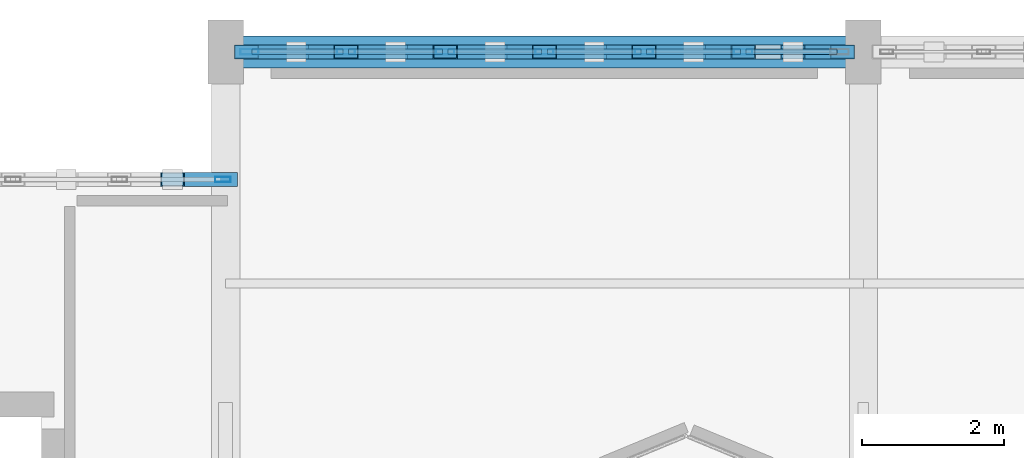
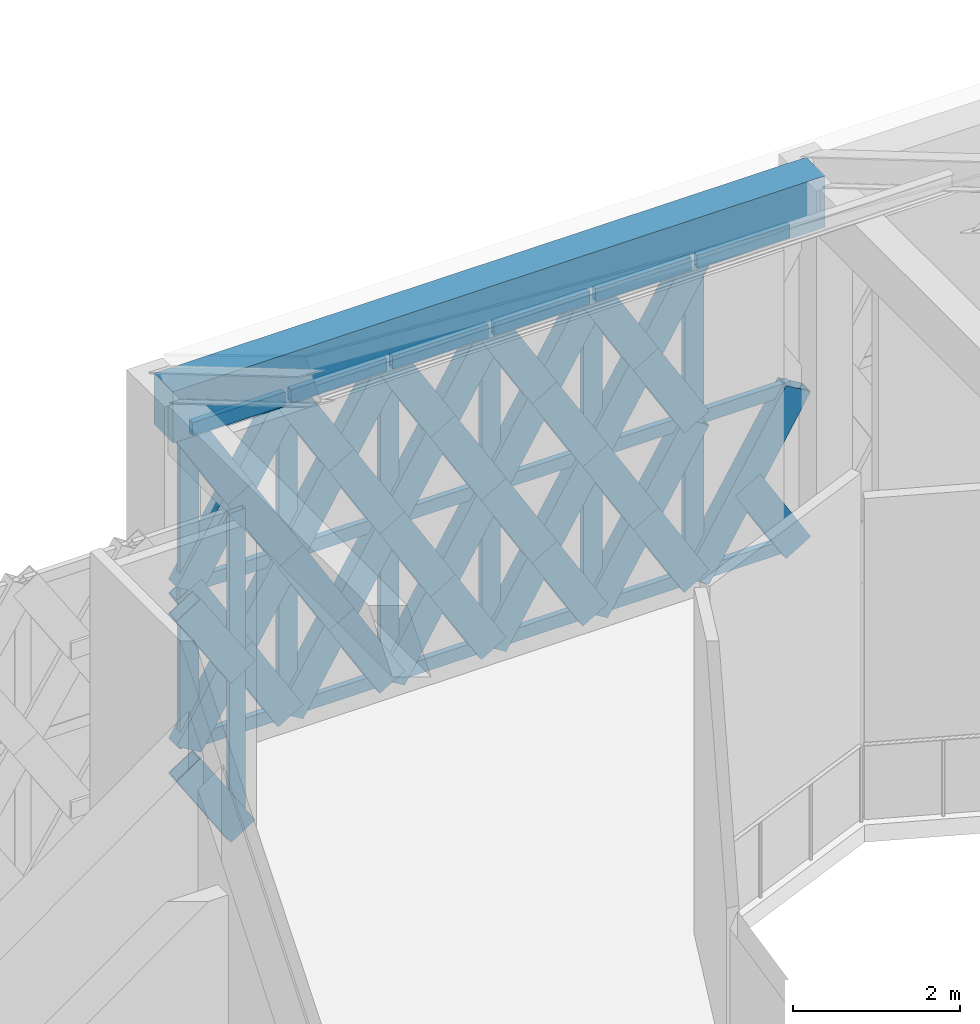
# One storey, part 50 of 72: 59 members, 1 beam, 2 elements without a shape of their own.
"""IFC4 building model written with IfcOpenShell, lengths in metres."""

import ifcopenshell
import ifcopenshell.guid

model = None  # the IFC model being written
_history = None  # IfcOwnerHistory: only IFC2X3 demands one
_inside = {}  # id of a spatial element -> (the spatial element, [elements in it])
_under = {}  # id of a project, library or spatial element -> (it, [spatial elements below it])
_declared = {}  # id of a project -> (the project, [libraries it declares])
_typed = {}  # id of a type object -> (the type object, [elements of that type])
_made_of = {}  # id of a material, layer set ... -> (it, [elements and type objects made of it])


def new_model(schema):
    """Start an empty IFC model of exactly this schema.

    Asked for "IFC4X3", IfcOpenShell would pick the latest addendum, in which some entities
    have other attributes; the version numbers below select the first issue.
    IFC2X3 requires an IfcOwnerHistory on every rooted entity: one is made here for all.
    """
    global model, _history
    if schema == "IFC4X3":
        model = ifcopenshell.file(schema_version=(4, 3, 0, 0))
    else:
        model = ifcopenshell.file(schema=schema)
    _inside.clear()
    _under.clear()
    _declared.clear()
    _typed.clear()
    _made_of.clear()
    _history = None
    if model.schema == "IFC2X3":
        org = make("IfcOrganization", Name="unknown")
        user = make(
            "IfcPersonAndOrganization",
            ThePerson=make("IfcPerson", FamilyName="unknown"),
            TheOrganization=org,
        )
        app = make(
            "IfcApplication",
            ApplicationDeveloper=org,
            Version="unknown",
            ApplicationFullName="unknown",
            ApplicationIdentifier="unknown",
        )
        _history = make(
            "IfcOwnerHistory",
            OwningUser=user,
            OwningApplication=app,
            ChangeAction="ADDED",
            CreationDate=0,
        )
    return model


def make(cls, **values):
    """One entity of the class cls with the attributes given. An attribute that is None is left unset."""
    return model.create_entity(
        cls, **{name: value for name, value in values.items() if value is not None}
    )


def rooted(cls, **values):
    """An entity with a GlobalId (a new one), such as an element, a storey or a relation."""
    return make(cls, GlobalId=ifcopenshell.guid.new(), OwnerHistory=_history, **values)


def si_unit(unit_type, name, prefix=None):
    """IfcSIUnit, for example si_unit("LENGTHUNIT", "METRE", prefix="MILLI")."""
    return make("IfcSIUnit", UnitType=unit_type, Prefix=prefix, Name=name)


def assignment(units):
    """IfcUnitAssignment: the units of a project."""
    return None if units is None else make("IfcUnitAssignment", Units=units)


def point(xyz):
    """IfcCartesianPoint."""
    return None if xyz is None else make("IfcCartesianPoint", Coordinates=xyz)


def direction(xyz):
    """IfcDirection."""
    return None if xyz is None else make("IfcDirection", DirectionRatios=xyz)


def frame(location, z_axis=None, x_axis=None):
    """IfcAxis2Placement3D, a coordinate frame: its origin and axes. An axis left out is left unset."""
    return make(
        "IfcAxis2Placement3D",
        Location=point(location),
        Axis=direction(z_axis),
        RefDirection=direction(x_axis),
    )


def frame_2d(location, x_axis=None):
    """IfcAxis2Placement2D, a coordinate frame in the plane: its origin and x axis."""
    return make(
        "IfcAxis2Placement2D", Location=point(location), RefDirection=direction(x_axis)
    )


def origin():
    """The frame at (0, 0, 0) with its axes left unset."""
    return frame((0.0, 0.0, 0.0))


def origin_2d():
    """The frame at (0, 0) in the plane with its x axis left unset."""
    return frame_2d((0.0, 0.0))


def place(relative_to, where):
    """IfcLocalPlacement: puts the frame where relative to a parent placement (None: the world)."""
    return make(
        "IfcLocalPlacement", PlacementRelTo=relative_to, RelativePlacement=where
    )


def context(
    kind, dimensions, precision=None, world=None, true_north=None, identifier=None
):
    """IfcGeometricRepresentationContext, for example the 3D "Model" context."""
    return make(
        "IfcGeometricRepresentationContext",
        ContextIdentifier=identifier,
        ContextType=kind,
        CoordinateSpaceDimension=dimensions,
        Precision=precision,
        WorldCoordinateSystem=world,
        TrueNorth=true_north,
    )


def subcontext(parent, identifier, kind, view, scale=None):
    """IfcGeometricRepresentationSubContext, for example "Body" below "Model"."""
    return make(
        "IfcGeometricRepresentationSubContext",
        ContextIdentifier=identifier,
        ContextType=kind,
        ParentContext=parent,
        TargetScale=scale,
        TargetView=view,
    )


def project(units=None, contexts=None):
    """IfcProject with its units and contexts."""
    return rooted(
        "IfcProject",
        Name="project",
        RepresentationContexts=contexts,
        UnitsInContext=assignment(units),
    )


def spatial(cls, under=None, at=None, **own):
    """A site, building, storey or space (cls), placed at a placement, below another one or the project."""
    s = rooted(cls, ObjectPlacement=at, **own)
    if under is not None:
        _under.setdefault(under.id(), (under, []))[1].append(s)
    return s


def profile(cls, at=None, kind="AREA", **sizes):
    """A parametric profile (cls). Its sizes go by their IFC names, for example OverallWidth=200.0."""
    return make(cls, ProfileType=kind, Position=at, **sizes)


def rectangle(**sizes):
    """IfcRectangleProfileDef."""
    return profile("IfcRectangleProfileDef", **sizes)


def hollow_rectangle(**sizes):
    """IfcRectangleHollowProfileDef."""
    return profile("IfcRectangleHollowProfileDef", **sizes)


def extrude(swept, where, along, depth):
    """IfcExtrudedAreaSolid: the profile swept, set in the frame where, extruded along a direction by depth."""
    return make(
        "IfcExtrudedAreaSolid",
        SweptArea=swept,
        Position=where,
        ExtrudedDirection=direction(along),
        Depth=depth,
    )


def shape(context_of_items, identifier, shape_type, items):
    """IfcShapeRepresentation: the items that make up one representation, for example the "Body"."""
    return make(
        "IfcShapeRepresentation",
        ContextOfItems=context_of_items,
        RepresentationIdentifier=identifier,
        RepresentationType=shape_type,
        Items=items,
    )


def material(Name=None, Category=None):
    """IfcMaterial."""
    return make("IfcMaterial", Name=Name, Category=Category)


def material_profile(
    of_material, cross_section, Name=None, Category=None, Priority=None
):
    """IfcMaterialProfile: a cross section and its material."""
    return make(
        "IfcMaterialProfile",
        Name=Name,
        Material=of_material,
        Profile=cross_section,
        Priority=Priority,
        Category=Category,
    )


def profile_set(profiles, Name=None, composite=None):
    """IfcMaterialProfileSet."""
    return make(
        "IfcMaterialProfileSet",
        Name=Name,
        MaterialProfiles=profiles,
        CompositeProfile=composite,
    )


def made_of(thing, what):
    """Note that an element or type object is made of a material, layer set ...; save() writes the relation."""
    if what is not None:
        _made_of.setdefault(what.id(), (what, []))[1].append(thing)
    return thing


def type_object(cls, material=None, **own):
    """A type object (cls), such as IfcWallType, which elements share."""
    return made_of(rooted(cls, **own), material)


def element(
    cls,
    number,
    at=None,
    inside=None,
    cuts=None,
    type_object=None,
    material=None,
    context=None,
    identifier="Body",
    shape_type=None,
    held_by="IfcProductDefinitionShape",
    body=None,
    shapes=None,
    **own,
):
    """One element of the class cls, such as IfcWall. Its Tag is "e" and its number.

    at: its placement. inside: the storey or other place that contains it. cuts: it is an
    opening in that element (IfcRelVoidsElement). A single representation is given by context,
    identifier, shape_type and body (its items); several are given by shapes. held_by: the class
    of the entity that holds the representations. save() writes the other relations.
    """
    e = rooted(cls, Tag="e%d" % number, ObjectPlacement=at, **own)
    if body is not None:
        shapes = [shape(context, identifier, shape_type, body)]
    if shapes is not None:
        e.Representation = make(held_by, Representations=shapes)
    if inside is not None:
        _inside.setdefault(inside.id(), (inside, []))[1].append(e)
    if cuts is not None:
        rooted(
            "IfcRelVoidsElement", RelatingBuildingElement=cuts, RelatedOpeningElement=e
        )
    if type_object is not None:
        _typed.setdefault(type_object.id(), (type_object, []))[1].append(e)
    return made_of(e, material)


def aggregate(whole, parts):
    """IfcRelAggregates: a whole, such as a stair, and the parts it consists of."""
    return rooted("IfcRelAggregates", RelatingObject=whole, RelatedObjects=parts)


def save(model, path):
    """Write the relations noted so far, then the file.

    IfcRelAggregates (storeys below a building ...), IfcRelContainedInSpatialStructure (elements
    in a storey), IfcRelDefinesByType, IfcRelAssociatesMaterial and IfcRelDeclares: one each for
    every whole, place, type object, material and project.
    """
    for whole, parts in _under.values():
        aggregate(whole, parts)
    for where, things in _inside.values():
        rooted(
            "IfcRelContainedInSpatialStructure",
            RelatedElements=things,
            RelatingStructure=where,
        )
    for kind, things in _typed.values():
        rooted("IfcRelDefinesByType", RelatedObjects=things, RelatingType=kind)
    for what, things in _made_of.values():
        rooted("IfcRelAssociatesMaterial", RelatedObjects=things, RelatingMaterial=what)
    for by, libraries in _declared.values():
        rooted("IfcRelDeclares", RelatingContext=by, RelatedDefinitions=libraries)
    model.write(path)


model = new_model("IFC4")

# Units and contexts
model_context = context("Model", 3, precision=1e-05, world=origin(), true_north=direction((0.0, 1.0)))
body_context = subcontext(model_context, "Body", "Model", "MODEL_VIEW")
ifc_project = project(units=[si_unit("LENGTHUNIT", "METRE"), si_unit("AREAUNIT", "SQUARE_METRE"), si_unit("VOLUMEUNIT", "CUBIC_METRE"), si_unit("PLANEANGLEUNIT", "RADIAN"), si_unit("MASSUNIT", "GRAM", prefix="KILO")], contexts=[model_context])

# Site, building, storey
site_placement = place(None, origin())
site = spatial("IfcSite", under=ifc_project, at=site_placement, CompositionType="ELEMENT")
building_placement = place(site_placement, origin())
building = spatial("IfcBuilding", under=site, at=building_placement, Name="Haizhuo Lancet Aquarium", CompositionType="ELEMENT")
storey_placement = place(building_placement, frame((0.0, 0.0, 21.60009765625)))
storey = spatial("IfcBuildingStorey", under=building, at=storey_placement, Name="L04", CompositionType="ELEMENT", Elevation=21.60009765625)

# Beam
ifc_material_1 = material(Name="Concrete C40/50", Category="concrete")
ifc_material_profile_1 = material_profile(ifc_material_1, rectangle(XDim=0.449951171875, YDim=0.75, at=origin_2d()), Name="RC-BM 450x750")
ifc_profile_set_1 = profile_set([ifc_material_profile_1], Name="Concrete C40/50")
beam_type = type_object("IfcBeamType", Name="BM-RC-450x750", PredefinedType="BEAM", material=ifc_profile_set_1)
beam_placement = place(storey_placement, frame((-18.0, 55.800048828125, 5.02490234375), z_axis=(1.0, 0.0, 0.0), x_axis=(0.0, 1.0, 0.0)))
element("IfcBeam", 1, at=beam_placement, inside=storey, type_object=beam_type, Name="L04 V5 primary girder BM-L04-V5-007", PredefinedType="BEAM", context=body_context, shape_type="SweptSolid", body=[
    extrude(rectangle(XDim=0.449951171875, YDim=0.75, at=origin_2d()), origin(), (0.0, 0.0, 1.0), 9.0),
])

# Curtain wall, member
ifc_material_2 = material(Name="Aluminium 6063-T6", Category="aluminium")
curtain_wall_type_1 = type_object("IfcCurtainWallType", Name="CWD-9000x4650", PredefinedType="NOTDEFINED", material=ifc_material_2)
curtain_wall_1_placement = place(storey_placement, origin())
curtain_wall_1 = element("IfcCurtainWall", 2, at=curtain_wall_1_placement, inside=storey, type_object=curtain_wall_type_1, Name="L04 curtain wall CW-V5-L04-176", PredefinedType="NOTDEFINED")
ifc_material_profile_2 = material_profile(ifc_material_2, hollow_rectangle(XDim=0.074951171875, YDim=0.219970703125, WallThickness=0.0048828125, at=origin_2d()), Name="ALU-M 75x220x5")
ifc_profile_set_2 = profile_set([ifc_material_profile_2], Name="Aluminium 6063-T6")
member_type_1 = type_object("IfcMemberType", Name="CW-MUL-2", PredefinedType="MULLION", material=ifc_profile_set_2)
member_1_placement = place(storey_placement, frame((-18.0380859375, 54.0, 0.0), z_axis=(0.0, 0.0, 1.0), x_axis=(0.0, 1.0, 0.0)))
member_1 = element("IfcMember", 3, at=member_1_placement, type_object=member_type_1, Name="CWD-90x46 mullion 7", PredefinedType="MULLION", context=body_context, shape_type="SweptSolid", body=[
    extrude(hollow_rectangle(XDim=0.074951171875, YDim=0.219970703125, WallThickness=0.0048828125, at=origin_2d()), origin(), (0.0, 0.0, 1.0), 4.64990234375),
])
aggregate(curtain_wall_1, [member_1])

# Curtain wall, members
curtain_wall_type_2 = type_object("IfcCurtainWallType", Name="CWD-8410x4650", PredefinedType="NOTDEFINED", material=ifc_material_2)
curtain_wall_2_placement = place(storey_placement, origin())
curtain_wall_2 = element("IfcCurtainWall", 4, at=curtain_wall_2_placement, inside=storey, type_object=curtain_wall_type_2, Name="L04 curtain wall CW-V5-L04-177", PredefinedType="NOTDEFINED")
ifc_material_profile_3 = material_profile(ifc_material_2, hollow_rectangle(XDim=0.080078125, YDim=0.260009765625, WallThickness=0.0048828125, at=origin_2d()), Name="ALU-M 80x260x5")
ifc_profile_set_3 = profile_set([ifc_material_profile_3], Name="Aluminium 6063-T6")
member_type_2 = type_object("IfcMemberType", Name="CW-MUL-3", PredefinedType="MULLION", material=ifc_profile_set_3)
member_2_placement = place(storey_placement, frame((-17.6650390625, 55.800048828125, 0.0), z_axis=(0.0, 0.0, 1.0), x_axis=(0.0, 1.0, 0.0)))
member_2 = element("IfcMember", 5, at=member_2_placement, type_object=member_type_2, Name="CWD-84x46 mullion 1", PredefinedType="MULLION", context=body_context, shape_type="SweptSolid", body=[
    extrude(hollow_rectangle(XDim=0.080078125, YDim=0.260009765625, WallThickness=0.0048828125, at=origin_2d()), origin(), (0.0, 0.0, 1.0), 4.64990234375),
])
member_3_placement = place(storey_placement, frame((-16.302978515625, 55.800048828125, 0.0), z_axis=(0.0, 0.0, 1.0), x_axis=(0.0, 1.0, 0.0)))
member_3 = element("IfcMember", 6, at=member_3_placement, type_object=member_type_2, Name="CWD-84x46 mullion 2", PredefinedType="MULLION", context=body_context, shape_type="SweptSolid", body=[
    extrude(hollow_rectangle(XDim=0.080078125, YDim=0.260009765625, WallThickness=0.0048828125, at=origin_2d()), origin(), (0.0, 0.0, 1.0), 4.64990234375),
])
member_4_placement = place(storey_placement, frame((-14.902099609375, 55.800048828125, 0.0), z_axis=(0.0, 0.0, 1.0), x_axis=(0.0, 1.0, 0.0)))
member_4 = element("IfcMember", 7, at=member_4_placement, type_object=member_type_2, Name="CWD-84x46 mullion 3", PredefinedType="MULLION", context=body_context, shape_type="SweptSolid", body=[
    extrude(hollow_rectangle(XDim=0.080078125, YDim=0.260009765625, WallThickness=0.0048828125, at=origin_2d()), origin(), (0.0, 0.0, 1.0), 4.64990234375),
])
member_5_placement = place(storey_placement, frame((-13.5, 55.800048828125, 0.0), z_axis=(0.0, 0.0, 1.0), x_axis=(0.0, 1.0, 0.0)))
member_5 = element("IfcMember", 8, at=member_5_placement, type_object=member_type_2, Name="CWD-84x46 mullion 4", PredefinedType="MULLION", context=body_context, shape_type="SweptSolid", body=[
    extrude(hollow_rectangle(XDim=0.080078125, YDim=0.260009765625, WallThickness=0.0048828125, at=origin_2d()), origin(), (0.0, 0.0, 1.0), 4.64990234375),
])
member_6_placement = place(storey_placement, frame((-12.097900390625, 55.800048828125, 0.0), z_axis=(0.0, 0.0, 1.0), x_axis=(0.0, 1.0, 0.0)))
member_6 = element("IfcMember", 9, at=member_6_placement, type_object=member_type_2, Name="CWD-84x46 mullion 5", PredefinedType="MULLION", context=body_context, shape_type="SweptSolid", body=[
    extrude(hollow_rectangle(XDim=0.080078125, YDim=0.260009765625, WallThickness=0.0048828125, at=origin_2d()), origin(), (0.0, 0.0, 1.0), 4.64990234375),
])
member_7_placement = place(storey_placement, frame((-10.697021484375, 55.800048828125, 0.0), z_axis=(0.0, 0.0, 1.0), x_axis=(0.0, 1.0, 0.0)))
member_7 = element("IfcMember", 10, at=member_7_placement, type_object=member_type_2, Name="CWD-84x46 mullion 6", PredefinedType="MULLION", context=body_context, shape_type="SweptSolid", body=[
    extrude(hollow_rectangle(XDim=0.080078125, YDim=0.260009765625, WallThickness=0.0048828125, at=origin_2d()), origin(), (0.0, 0.0, 1.0), 4.64990234375),
])
ifc_material_profile_4 = material_profile(ifc_material_2, hollow_rectangle(XDim=0.080078125, YDim=0.18994140625, WallThickness=0.0048828125, at=origin_2d()), Name="ALU-T 80x190x5")
ifc_profile_set_4 = profile_set([ifc_material_profile_4], Name="Aluminium 6063-T6")
member_type_3 = type_object("IfcMemberType", Name="CW-TRN-3", PredefinedType="NOTDEFINED", material=ifc_profile_set_4)
member_8_placement = place(storey_placement, frame((-17.625, 55.800048828125, 0.039794921875), z_axis=(1.0, 0.0, 0.0), x_axis=(0.0, 1.0, 0.0)))
member_8 = element("IfcMember", 11, at=member_8_placement, type_object=member_type_3, Name="CWD-84x46 transom 1.1", ObjectType="TRANSOM", PredefinedType="USERDEFINED", context=body_context, shape_type="SweptSolid", body=[
    extrude(hollow_rectangle(XDim=0.080078125, YDim=0.18994140625, WallThickness=0.0048828125, at=origin_2d()), origin(), (0.0, 0.0, 1.0), 1.281982421875),
])
member_9_placement = place(storey_placement, frame((-17.625, 55.800048828125, 2.324951171875), z_axis=(1.0, 0.0, 0.0), x_axis=(0.0, 1.0, 0.0)))
member_9 = element("IfcMember", 12, at=member_9_placement, type_object=member_type_3, Name="CWD-84x46 transom 1.2", ObjectType="TRANSOM", PredefinedType="USERDEFINED", context=body_context, shape_type="SweptSolid", body=[
    extrude(hollow_rectangle(XDim=0.080078125, YDim=0.18994140625, WallThickness=0.0048828125, at=origin_2d()), origin(), (0.0, 0.0, 1.0), 1.281982421875),
])
member_10_placement = place(storey_placement, frame((-17.625, 55.800048828125, 4.60986328125), z_axis=(1.0, 0.0, 0.0), x_axis=(0.0, 1.0, 0.0)))
member_10 = element("IfcMember", 13, at=member_10_placement, type_object=member_type_3, Name="CWD-84x46 transom 1.3", ObjectType="TRANSOM", PredefinedType="USERDEFINED", context=body_context, shape_type="SweptSolid", body=[
    extrude(hollow_rectangle(XDim=0.080078125, YDim=0.18994140625, WallThickness=0.0048828125, at=origin_2d()), origin(), (0.0, 0.0, 1.0), 1.281982421875),
])
member_11_placement = place(storey_placement, frame((-16.262939453125, 55.800048828125, 0.039794921875), z_axis=(1.0, 0.0, 0.0), x_axis=(0.0, 1.0, 0.0)))
member_11 = element("IfcMember", 14, at=member_11_placement, type_object=member_type_3, Name="CWD-84x46 transom 2.1", ObjectType="TRANSOM", PredefinedType="USERDEFINED", context=body_context, shape_type="SweptSolid", body=[
    extrude(hollow_rectangle(XDim=0.080078125, YDim=0.18994140625, WallThickness=0.0048828125, at=origin_2d()), origin(), (0.0, 0.0, 1.0), 1.321044921875),
])
member_12_placement = place(storey_placement, frame((-16.262939453125, 55.800048828125, 2.324951171875), z_axis=(1.0, 0.0, 0.0), x_axis=(0.0, 1.0, 0.0)))
member_12 = element("IfcMember", 15, at=member_12_placement, type_object=member_type_3, Name="CWD-84x46 transom 2.2", ObjectType="TRANSOM", PredefinedType="USERDEFINED", context=body_context, shape_type="SweptSolid", body=[
    extrude(hollow_rectangle(XDim=0.080078125, YDim=0.18994140625, WallThickness=0.0048828125, at=origin_2d()), origin(), (0.0, 0.0, 1.0), 1.321044921875),
])
member_13_placement = place(storey_placement, frame((-16.262939453125, 55.800048828125, 4.60986328125), z_axis=(1.0, 0.0, 0.0), x_axis=(0.0, 1.0, 0.0)))
member_13 = element("IfcMember", 16, at=member_13_placement, type_object=member_type_3, Name="CWD-84x46 transom 2.3", ObjectType="TRANSOM", PredefinedType="USERDEFINED", context=body_context, shape_type="SweptSolid", body=[
    extrude(hollow_rectangle(XDim=0.080078125, YDim=0.18994140625, WallThickness=0.0048828125, at=origin_2d()), origin(), (0.0, 0.0, 1.0), 1.321044921875),
])
member_14_placement = place(storey_placement, frame((-14.862060546875, 55.800048828125, 0.039794921875), z_axis=(1.0, 0.0, 0.0), x_axis=(0.0, 1.0, 0.0)))
member_14 = element("IfcMember", 17, at=member_14_placement, type_object=member_type_3, Name="CWD-84x46 transom 3.1", ObjectType="TRANSOM", PredefinedType="USERDEFINED", context=body_context, shape_type="SweptSolid", body=[
    extrude(hollow_rectangle(XDim=0.080078125, YDim=0.18994140625, WallThickness=0.0048828125, at=origin_2d()), origin(), (0.0, 0.0, 1.0), 1.322021484375),
])
member_15_placement = place(storey_placement, frame((-14.862060546875, 55.800048828125, 2.324951171875), z_axis=(1.0, 0.0, 0.0), x_axis=(0.0, 1.0, 0.0)))
member_15 = element("IfcMember", 18, at=member_15_placement, type_object=member_type_3, Name="CWD-84x46 transom 3.2", ObjectType="TRANSOM", PredefinedType="USERDEFINED", context=body_context, shape_type="SweptSolid", body=[
    extrude(hollow_rectangle(XDim=0.080078125, YDim=0.18994140625, WallThickness=0.0048828125, at=origin_2d()), origin(), (0.0, 0.0, 1.0), 1.322021484375),
])
member_16_placement = place(storey_placement, frame((-14.862060546875, 55.800048828125, 4.60986328125), z_axis=(1.0, 0.0, 0.0), x_axis=(0.0, 1.0, 0.0)))
member_16 = element("IfcMember", 19, at=member_16_placement, type_object=member_type_3, Name="CWD-84x46 transom 3.3", ObjectType="TRANSOM", PredefinedType="USERDEFINED", context=body_context, shape_type="SweptSolid", body=[
    extrude(hollow_rectangle(XDim=0.080078125, YDim=0.18994140625, WallThickness=0.0048828125, at=origin_2d()), origin(), (0.0, 0.0, 1.0), 1.322021484375),
])
member_17_placement = place(storey_placement, frame((-13.4599609375, 55.800048828125, 0.039794921875), z_axis=(1.0, 0.0, 0.0), x_axis=(0.0, 1.0, 0.0)))
member_17 = element("IfcMember", 20, at=member_17_placement, type_object=member_type_3, Name="CWD-84x46 transom 4.1", ObjectType="TRANSOM", PredefinedType="USERDEFINED", context=body_context, shape_type="SweptSolid", body=[
    extrude(hollow_rectangle(XDim=0.080078125, YDim=0.18994140625, WallThickness=0.0048828125, at=origin_2d()), origin(), (0.0, 0.0, 1.0), 1.322021484375),
])
member_18_placement = place(storey_placement, frame((-13.4599609375, 55.800048828125, 2.324951171875), z_axis=(1.0, 0.0, 0.0), x_axis=(0.0, 1.0, 0.0)))
member_18 = element("IfcMember", 21, at=member_18_placement, type_object=member_type_3, Name="CWD-84x46 transom 4.2", ObjectType="TRANSOM", PredefinedType="USERDEFINED", context=body_context, shape_type="SweptSolid", body=[
    extrude(hollow_rectangle(XDim=0.080078125, YDim=0.18994140625, WallThickness=0.0048828125, at=origin_2d()), origin(), (0.0, 0.0, 1.0), 1.322021484375),
])
member_19_placement = place(storey_placement, frame((-13.4599609375, 55.800048828125, 4.60986328125), z_axis=(1.0, 0.0, 0.0), x_axis=(0.0, 1.0, 0.0)))
member_19 = element("IfcMember", 22, at=member_19_placement, type_object=member_type_3, Name="CWD-84x46 transom 4.3", ObjectType="TRANSOM", PredefinedType="USERDEFINED", context=body_context, shape_type="SweptSolid", body=[
    extrude(hollow_rectangle(XDim=0.080078125, YDim=0.18994140625, WallThickness=0.0048828125, at=origin_2d()), origin(), (0.0, 0.0, 1.0), 1.322021484375),
])
member_20_placement = place(storey_placement, frame((-12.05810546875, 55.800048828125, 0.039794921875), z_axis=(1.0, 0.0, 0.0), x_axis=(0.0, 1.0, 0.0)))
member_20 = element("IfcMember", 23, at=member_20_placement, type_object=member_type_3, Name="CWD-84x46 transom 5.1", ObjectType="TRANSOM", PredefinedType="USERDEFINED", context=body_context, shape_type="SweptSolid", body=[
    extrude(hollow_rectangle(XDim=0.080078125, YDim=0.18994140625, WallThickness=0.0048828125, at=origin_2d()), origin(), (0.0, 0.0, 1.0), 1.321044921875),
])
member_21_placement = place(storey_placement, frame((-12.05810546875, 55.800048828125, 2.324951171875), z_axis=(1.0, 0.0, 0.0), x_axis=(0.0, 1.0, 0.0)))
member_21 = element("IfcMember", 24, at=member_21_placement, type_object=member_type_3, Name="CWD-84x46 transom 5.2", ObjectType="TRANSOM", PredefinedType="USERDEFINED", context=body_context, shape_type="SweptSolid", body=[
    extrude(hollow_rectangle(XDim=0.080078125, YDim=0.18994140625, WallThickness=0.0048828125, at=origin_2d()), origin(), (0.0, 0.0, 1.0), 1.321044921875),
])
member_22_placement = place(storey_placement, frame((-12.05810546875, 55.800048828125, 4.60986328125), z_axis=(1.0, 0.0, 0.0), x_axis=(0.0, 1.0, 0.0)))
member_22 = element("IfcMember", 25, at=member_22_placement, type_object=member_type_3, Name="CWD-84x46 transom 5.3", ObjectType="TRANSOM", PredefinedType="USERDEFINED", context=body_context, shape_type="SweptSolid", body=[
    extrude(hollow_rectangle(XDim=0.080078125, YDim=0.18994140625, WallThickness=0.0048828125, at=origin_2d()), origin(), (0.0, 0.0, 1.0), 1.321044921875),
])
member_23_placement = place(storey_placement, frame((-10.656982421875, 55.800048828125, 0.039794921875), z_axis=(1.0, 0.0, 0.0), x_axis=(0.0, 1.0, 0.0)))
member_23 = element("IfcMember", 26, at=member_23_placement, type_object=member_type_3, Name="CWD-84x46 transom 6.1", ObjectType="TRANSOM", PredefinedType="USERDEFINED", context=body_context, shape_type="SweptSolid", body=[
    extrude(hollow_rectangle(XDim=0.080078125, YDim=0.18994140625, WallThickness=0.0048828125, at=origin_2d()), origin(), (0.0, 0.0, 1.0), 1.281982421875),
])
member_24_placement = place(storey_placement, frame((-10.656982421875, 55.800048828125, 2.324951171875), z_axis=(1.0, 0.0, 0.0), x_axis=(0.0, 1.0, 0.0)))
member_24 = element("IfcMember", 27, at=member_24_placement, type_object=member_type_3, Name="CWD-84x46 transom 6.2", ObjectType="TRANSOM", PredefinedType="USERDEFINED", context=body_context, shape_type="SweptSolid", body=[
    extrude(hollow_rectangle(XDim=0.080078125, YDim=0.18994140625, WallThickness=0.0048828125, at=origin_2d()), origin(), (0.0, 0.0, 1.0), 1.281982421875),
])
member_25_placement = place(storey_placement, frame((-10.656982421875, 55.800048828125, 4.60986328125), z_axis=(1.0, 0.0, 0.0), x_axis=(0.0, 1.0, 0.0)))
member_25 = element("IfcMember", 28, at=member_25_placement, type_object=member_type_3, Name="CWD-84x46 transom 6.3", ObjectType="TRANSOM", PredefinedType="USERDEFINED", context=body_context, shape_type="SweptSolid", body=[
    extrude(hollow_rectangle(XDim=0.080078125, YDim=0.18994140625, WallThickness=0.0048828125, at=origin_2d()), origin(), (0.0, 0.0, 1.0), 1.281982421875),
])
aggregate(curtain_wall_2, [member_2, member_3, member_4, member_5, member_6, member_7, member_8, member_9, member_10, member_11, member_12, member_13, member_14, member_15, member_16, member_17, member_18, member_19, member_20, member_21, member_22, member_23, member_24, member_25])

# Members
ifc_material_3 = material(Name="Steel S355", Category="steel")
ifc_material_profile_5 = material_profile(ifc_material_3, hollow_rectangle(XDim=0.199951171875, YDim=0.39990234375, WallThickness=0.011962890625, at=origin_2d()), Name="RHS 200x400x12")
ifc_profile_set_5 = profile_set([ifc_material_profile_5], Name="Steel S355")
member_type_4 = type_object("IfcMemberType", Name="MEM-LB-RHS200x400", PredefinedType="BRACE", material=ifc_profile_set_5)
member_26_placement = place(storey_placement, frame((-18.0, 54.0, 0.0), z_axis=(-0.542014339406, 0.0, 0.840369237822), x_axis=(0.0, -1.0, 0.0)))
element("IfcMember", 29, at=member_26_placement, inside=storey, type_object=member_type_4, Name="Gothic lancet split diagonal brace CW-V5-L04-176 11B1", PredefinedType="BRACE", context=body_context, shape_type="SweptSolid", body=[
    extrude(hollow_rectangle(XDim=0.199951171875, YDim=0.39990234375, WallThickness=0.011962890625, at=origin_2d()), origin(), (0.0, 0.0, 1.0), 1.3837890625),
])
member_27_placement = place(storey_placement, frame((-18.0, 54.0, 2.324951171875), z_axis=(-0.542335953068, 0.0, 0.840161718962), x_axis=(0.0, -1.0, 0.0)))
element("IfcMember", 30, at=member_27_placement, inside=storey, type_object=member_type_4, Name="Gothic lancet split diagonal brace CW-V5-L04-176 12B1", PredefinedType="BRACE", context=body_context, shape_type="SweptSolid", body=[
    extrude(hollow_rectangle(XDim=0.199951171875, YDim=0.39990234375, WallThickness=0.011962890625, at=origin_2d()), origin(), (0.0, 0.0, 1.0), 1.3828125),
])
member_28_placement = place(storey_placement, frame((-17.705078125, 55.800048828125, 0.0), z_axis=(0.516425141118, 0.0, 0.856332338302), x_axis=(0.0, 1.0, 0.0)))
element("IfcMember", 31, at=member_28_placement, inside=storey, type_object=member_type_4, Name="Gothic lancet continuous diagonal brace CW-V5-L04-177 1A", PredefinedType="BRACE", context=body_context, shape_type="SweptSolid", body=[
    extrude(hollow_rectangle(XDim=0.199951171875, YDim=0.39990234375, WallThickness=0.011962890625, at=origin_2d()), origin(), (0.0, 0.0, 1.0), 2.715087890625),
])
member_29_placement = place(storey_placement, frame((-16.302978515625, 55.800048828125, 0.0), z_axis=(-0.516239922823, 0.0, 0.856444009894), x_axis=(0.0, -1.0, 0.0)))
element("IfcMember", 32, at=member_29_placement, inside=storey, type_object=member_type_4, Name="Gothic lancet split diagonal brace CW-V5-L04-177 1B1", PredefinedType="BRACE", context=body_context, shape_type="SweptSolid", body=[
    extrude(hollow_rectangle(XDim=0.199951171875, YDim=0.39990234375, WallThickness=0.011962890625, at=origin_2d()), origin(), (0.0, 0.0, 1.0), 1.357666015625),
])
member_30_placement = place(storey_placement, frame((-17.00390625, 55.800048828125, 1.162841796875), z_axis=(-0.516610403628, 0.0, 0.8562205854), x_axis=(0.0, -1.0, 0.0)))
element("IfcMember", 33, at=member_30_placement, inside=storey, type_object=member_type_4, Name="Gothic lancet split diagonal brace CW-V5-L04-177 1B2", PredefinedType="BRACE", context=body_context, shape_type="SweptSolid", body=[
    extrude(hollow_rectangle(XDim=0.199951171875, YDim=0.39990234375, WallThickness=0.011962890625, at=origin_2d()), origin(), (0.0, 0.0, 1.0), 1.357177734375),
])
member_31_placement = place(storey_placement, frame((-17.705078125, 55.800048828125, 2.324951171875), z_axis=(0.516425141118, 0.0, 0.856332338302), x_axis=(0.0, 1.0, 0.0)))
element("IfcMember", 34, at=member_31_placement, inside=storey, type_object=member_type_4, Name="Gothic lancet continuous diagonal brace CW-V5-L04-177 2A", PredefinedType="BRACE", context=body_context, shape_type="SweptSolid", body=[
    extrude(hollow_rectangle(XDim=0.199951171875, YDim=0.39990234375, WallThickness=0.011962890625, at=origin_2d()), origin(), (0.0, 0.0, 1.0), 2.715087890625),
])
member_32_placement = place(storey_placement, frame((-16.302978515625, 55.800048828125, 2.324951171875), z_axis=(-0.516558084519, 0.0, 0.856252150548), x_axis=(0.0, -1.0, 0.0)))
element("IfcMember", 35, at=member_32_placement, inside=storey, type_object=member_type_4, Name="Gothic lancet split diagonal brace CW-V5-L04-177 2B1", PredefinedType="BRACE", context=body_context, shape_type="SweptSolid", body=[
    extrude(hollow_rectangle(XDim=0.199951171875, YDim=0.39990234375, WallThickness=0.011962890625, at=origin_2d()), origin(), (0.0, 0.0, 1.0), 1.35693359375),
])
member_33_placement = place(storey_placement, frame((-17.00390625, 55.800048828125, 3.48681640625), z_axis=(-0.516292299955, 0.0, 0.856412436276), x_axis=(0.0, -1.0, 0.0)))
element("IfcMember", 36, at=member_33_placement, inside=storey, type_object=member_type_4, Name="Gothic lancet split diagonal brace CW-V5-L04-177 2B2", PredefinedType="BRACE", context=body_context, shape_type="SweptSolid", body=[
    extrude(hollow_rectangle(XDim=0.199951171875, YDim=0.39990234375, WallThickness=0.011962890625, at=origin_2d()), origin(), (0.0, 0.0, 1.0), 1.358154296875),
])
member_34_placement = place(storey_placement, frame((-16.302978515625, 55.800048828125, 0.0), z_axis=(0.516095323005, 0.0, 0.856531153883), x_axis=(0.0, 1.0, 0.0)))
element("IfcMember", 37, at=member_34_placement, inside=storey, type_object=member_type_4, Name="Gothic lancet continuous diagonal brace CW-V5-L04-177 3A", PredefinedType="BRACE", context=body_context, shape_type="SweptSolid", body=[
    extrude(hollow_rectangle(XDim=0.199951171875, YDim=0.39990234375, WallThickness=0.011962890625, at=origin_2d()), origin(), (0.0, 0.0, 1.0), 2.71435546875),
])
for number, where, z_axis, x_axis, name in (
    (38, (-14.902099609375, 55.800048828125, 0.0), (-0.515712063506, 0.0, 0.856761966683), (0.0, -1.0, 0.0), "Gothic lancet split diagonal brace CW-V5-L04-177 3B1"),
    (39, (-15.60205078125, 55.800048828125, 1.162841796875), (-0.51647851402, 0.0, 0.856300148637), (0.0, -1.0, 0.0), "Gothic lancet split diagonal brace CW-V5-L04-177 3B2"),
):
    element("IfcMember", number, at=place(storey_placement, frame(where, z_axis=z_axis, x_axis=x_axis)), inside=storey, type_object=member_type_4, Name=name, PredefinedType="BRACE", context=body_context, shape_type="SweptSolid", body=[
        extrude(hollow_rectangle(XDim=0.199951171875, YDim=0.39990234375, WallThickness=0.011962890625, at=origin_2d()), origin(), (0.0, 0.0, 1.0), 1.357177734375),
    ])
member_35_placement = place(storey_placement, frame((-16.302978515625, 55.800048828125, 2.324951171875), z_axis=(0.516095323005, 0.0, 0.856531153883), x_axis=(0.0, 1.0, 0.0)))
element("IfcMember", 40, at=member_35_placement, inside=storey, type_object=member_type_4, Name="Gothic lancet continuous diagonal brace CW-V5-L04-177 4A", PredefinedType="BRACE", context=body_context, shape_type="SweptSolid", body=[
    extrude(hollow_rectangle(XDim=0.199951171875, YDim=0.39990234375, WallThickness=0.011962890625, at=origin_2d()), origin(), (0.0, 0.0, 1.0), 2.71435546875),
])
member_36_placement = place(storey_placement, frame((-14.902099609375, 55.800048828125, 2.324951171875), z_axis=(-0.516030136136, 0.0, 0.856570428277), x_axis=(0.0, -1.0, 0.0)))
element("IfcMember", 41, at=member_36_placement, inside=storey, type_object=member_type_4, Name="Gothic lancet split diagonal brace CW-V5-L04-177 4B1", PredefinedType="BRACE", context=body_context, shape_type="SweptSolid", body=[
    extrude(hollow_rectangle(XDim=0.199951171875, YDim=0.39990234375, WallThickness=0.011962890625, at=origin_2d()), origin(), (0.0, 0.0, 1.0), 1.3564453125),
])
member_37_placement = place(storey_placement, frame((-15.60205078125, 55.800048828125, 3.48681640625), z_axis=(-0.516160432506, 0.0, 0.856491919352), x_axis=(0.0, -1.0, 0.0)))
element("IfcMember", 42, at=member_37_placement, inside=storey, type_object=member_type_4, Name="Gothic lancet split diagonal brace CW-V5-L04-177 4B2", PredefinedType="BRACE", context=body_context, shape_type="SweptSolid", body=[
    extrude(hollow_rectangle(XDim=0.199951171875, YDim=0.39990234375, WallThickness=0.011962890625, at=origin_2d()), origin(), (0.0, 0.0, 1.0), 1.35791015625),
])
member_38_placement = place(storey_placement, frame((-14.902099609375, 55.800048828125, 0.0), z_axis=(0.516425141118, 0.0, 0.856332338302), x_axis=(0.0, 1.0, 0.0)))
element("IfcMember", 43, at=member_38_placement, inside=storey, type_object=member_type_4, Name="Gothic lancet continuous diagonal brace CW-V5-L04-177 5A", PredefinedType="BRACE", context=body_context, shape_type="SweptSolid", body=[
    extrude(hollow_rectangle(XDim=0.199951171875, YDim=0.39990234375, WallThickness=0.011962890625, at=origin_2d()), origin(), (0.0, 0.0, 1.0), 2.715087890625),
])
member_39_placement = place(storey_placement, frame((-13.5, 55.800048828125, 0.0), z_axis=(-0.516239922823, 0.0, 0.856444009894), x_axis=(0.0, -1.0, 0.0)))
element("IfcMember", 44, at=member_39_placement, inside=storey, type_object=member_type_4, Name="Gothic lancet split diagonal brace CW-V5-L04-177 5B1", PredefinedType="BRACE", context=body_context, shape_type="SweptSolid", body=[
    extrude(hollow_rectangle(XDim=0.199951171875, YDim=0.39990234375, WallThickness=0.011962890625, at=origin_2d()), origin(), (0.0, 0.0, 1.0), 1.357666015625),
])
member_40_placement = place(storey_placement, frame((-14.200927734375, 55.800048828125, 1.162841796875), z_axis=(-0.516610403628, 0.0, 0.8562205854), x_axis=(0.0, -1.0, 0.0)))
element("IfcMember", 45, at=member_40_placement, inside=storey, type_object=member_type_4, Name="Gothic lancet split diagonal brace CW-V5-L04-177 5B2", PredefinedType="BRACE", context=body_context, shape_type="SweptSolid", body=[
    extrude(hollow_rectangle(XDim=0.199951171875, YDim=0.39990234375, WallThickness=0.011962890625, at=origin_2d()), origin(), (0.0, 0.0, 1.0), 1.357177734375),
])
member_41_placement = place(storey_placement, frame((-14.902099609375, 55.800048828125, 2.324951171875), z_axis=(0.516425141118, 0.0, 0.856332338302), x_axis=(0.0, 1.0, 0.0)))
element("IfcMember", 46, at=member_41_placement, inside=storey, type_object=member_type_4, Name="Gothic lancet continuous diagonal brace CW-V5-L04-177 6A", PredefinedType="BRACE", context=body_context, shape_type="SweptSolid", body=[
    extrude(hollow_rectangle(XDim=0.199951171875, YDim=0.39990234375, WallThickness=0.011962890625, at=origin_2d()), origin(), (0.0, 0.0, 1.0), 2.715087890625),
])
member_42_placement = place(storey_placement, frame((-13.5, 55.800048828125, 2.324951171875), z_axis=(-0.516558084519, 0.0, 0.856252150548), x_axis=(0.0, -1.0, 0.0)))
element("IfcMember", 47, at=member_42_placement, inside=storey, type_object=member_type_4, Name="Gothic lancet split diagonal brace CW-V5-L04-177 6B1", PredefinedType="BRACE", context=body_context, shape_type="SweptSolid", body=[
    extrude(hollow_rectangle(XDim=0.199951171875, YDim=0.39990234375, WallThickness=0.011962890625, at=origin_2d()), origin(), (0.0, 0.0, 1.0), 1.35693359375),
])
member_43_placement = place(storey_placement, frame((-14.200927734375, 55.800048828125, 3.48681640625), z_axis=(-0.516292299955, 0.0, 0.856412436276), x_axis=(0.0, -1.0, 0.0)))
element("IfcMember", 48, at=member_43_placement, inside=storey, type_object=member_type_4, Name="Gothic lancet split diagonal brace CW-V5-L04-177 6B2", PredefinedType="BRACE", context=body_context, shape_type="SweptSolid", body=[
    extrude(hollow_rectangle(XDim=0.199951171875, YDim=0.39990234375, WallThickness=0.011962890625, at=origin_2d()), origin(), (0.0, 0.0, 1.0), 1.358154296875),
])
member_44_placement = place(storey_placement, frame((-13.5, 55.800048828125, 0.0), z_axis=(0.516425141118, 0.0, 0.856332338302), x_axis=(0.0, 1.0, 0.0)))
element("IfcMember", 49, at=member_44_placement, inside=storey, type_object=member_type_4, Name="Gothic lancet continuous diagonal brace CW-V5-L04-177 7A", PredefinedType="BRACE", context=body_context, shape_type="SweptSolid", body=[
    extrude(hollow_rectangle(XDim=0.199951171875, YDim=0.39990234375, WallThickness=0.011962890625, at=origin_2d()), origin(), (0.0, 0.0, 1.0), 2.715087890625),
])
member_45_placement = place(storey_placement, frame((-12.097900390625, 55.800048828125, 0.0), z_axis=(-0.516371795819, 0.0, 0.856364506786), x_axis=(0.0, -1.0, 0.0)))
element("IfcMember", 50, at=member_45_placement, inside=storey, type_object=member_type_4, Name="Gothic lancet split diagonal brace CW-V5-L04-177 7B1", PredefinedType="BRACE", context=body_context, shape_type="SweptSolid", body=[
    extrude(hollow_rectangle(XDim=0.199951171875, YDim=0.39990234375, WallThickness=0.011962890625, at=origin_2d()), origin(), (0.0, 0.0, 1.0), 1.35791015625),
])
member_46_placement = place(storey_placement, frame((-12.799072265625, 55.800048828125, 1.162841796875), z_axis=(-0.51647851402, 0.0, 0.856300148637), x_axis=(0.0, -1.0, 0.0)))
element("IfcMember", 51, at=member_46_placement, inside=storey, type_object=member_type_4, Name="Gothic lancet split diagonal brace CW-V5-L04-177 7B2", PredefinedType="BRACE", context=body_context, shape_type="SweptSolid", body=[
    extrude(hollow_rectangle(XDim=0.199951171875, YDim=0.39990234375, WallThickness=0.011962890625, at=origin_2d()), origin(), (0.0, 0.0, 1.0), 1.357177734375),
])
member_47_placement = place(storey_placement, frame((-13.5, 55.800048828125, 2.324951171875), z_axis=(0.516425141118, 0.0, 0.856332338302), x_axis=(0.0, 1.0, 0.0)))
element("IfcMember", 52, at=member_47_placement, inside=storey, type_object=member_type_4, Name="Gothic lancet continuous diagonal brace CW-V5-L04-177 8A", PredefinedType="BRACE", context=body_context, shape_type="SweptSolid", body=[
    extrude(hollow_rectangle(XDim=0.199951171875, YDim=0.39990234375, WallThickness=0.011962890625, at=origin_2d()), origin(), (0.0, 0.0, 1.0), 2.715087890625),
])
member_48_placement = place(storey_placement, frame((-12.097900390625, 55.800048828125, 2.324951171875), z_axis=(-0.516689979653, 0.0, 0.856172567259), x_axis=(0.0, -1.0, 0.0)))
element("IfcMember", 53, at=member_48_placement, inside=storey, type_object=member_type_4, Name="Gothic lancet split diagonal brace CW-V5-L04-177 8B1", PredefinedType="BRACE", context=body_context, shape_type="SweptSolid", body=[
    extrude(hollow_rectangle(XDim=0.199951171875, YDim=0.39990234375, WallThickness=0.011962890625, at=origin_2d()), origin(), (0.0, 0.0, 1.0), 1.35693359375),
])
member_49_placement = place(storey_placement, frame((-12.799072265625, 55.800048828125, 3.48681640625), z_axis=(-0.516160432506, 0.0, 0.856491919352), x_axis=(0.0, -1.0, 0.0)))
element("IfcMember", 54, at=member_49_placement, inside=storey, type_object=member_type_4, Name="Gothic lancet split diagonal brace CW-V5-L04-177 8B2", PredefinedType="BRACE", context=body_context, shape_type="SweptSolid", body=[
    extrude(hollow_rectangle(XDim=0.199951171875, YDim=0.39990234375, WallThickness=0.011962890625, at=origin_2d()), origin(), (0.0, 0.0, 1.0), 1.35791015625),
])
member_50_placement = place(storey_placement, frame((-12.097900390625, 55.800048828125, 0.0), z_axis=(0.516095323005, 0.0, 0.856531153883), x_axis=(0.0, 1.0, 0.0)))
element("IfcMember", 55, at=member_50_placement, inside=storey, type_object=member_type_4, Name="Gothic lancet continuous diagonal brace CW-V5-L04-177 9A", PredefinedType="BRACE", context=body_context, shape_type="SweptSolid", body=[
    extrude(hollow_rectangle(XDim=0.199951171875, YDim=0.39990234375, WallThickness=0.011962890625, at=origin_2d()), origin(), (0.0, 0.0, 1.0), 2.71435546875),
])
member_51_placement = place(storey_placement, frame((-10.697021484375, 55.800048828125, 0.0), z_axis=(-0.516239922823, 0.0, 0.856444009894), x_axis=(0.0, -1.0, 0.0)))
element("IfcMember", 56, at=member_51_placement, inside=storey, type_object=member_type_4, Name="Gothic lancet split diagonal brace CW-V5-L04-177 9B1", PredefinedType="BRACE", context=body_context, shape_type="SweptSolid", body=[
    extrude(hollow_rectangle(XDim=0.199951171875, YDim=0.39990234375, WallThickness=0.011962890625, at=origin_2d()), origin(), (0.0, 0.0, 1.0), 1.357666015625),
])
member_52_placement = place(storey_placement, frame((-11.39794921875, 55.800048828125, 1.162841796875), z_axis=(-0.515950587872, 0.0, 0.8566183461), x_axis=(0.0, -1.0, 0.0)))
element("IfcMember", 57, at=member_52_placement, inside=storey, type_object=member_type_4, Name="Gothic lancet split diagonal brace CW-V5-L04-177 9B2", PredefinedType="BRACE", context=body_context, shape_type="SweptSolid", body=[
    extrude(hollow_rectangle(XDim=0.199951171875, YDim=0.39990234375, WallThickness=0.011962890625, at=origin_2d()), origin(), (0.0, 0.0, 1.0), 1.356689453125),
])
member_53_placement = place(storey_placement, frame((-12.097900390625, 55.800048828125, 2.324951171875), z_axis=(0.516095323005, 0.0, 0.856531153883), x_axis=(0.0, 1.0, 0.0)))
element("IfcMember", 58, at=member_53_placement, inside=storey, type_object=member_type_4, Name="Gothic lancet continuous diagonal brace CW-V5-L04-177 10A", PredefinedType="BRACE", context=body_context, shape_type="SweptSolid", body=[
    extrude(hollow_rectangle(XDim=0.199951171875, YDim=0.39990234375, WallThickness=0.011962890625, at=origin_2d()), origin(), (0.0, 0.0, 1.0), 2.71435546875),
])
member_54_placement = place(storey_placement, frame((-10.697021484375, 55.800048828125, 2.324951171875), z_axis=(-0.516558084519, 0.0, 0.856252150548), x_axis=(0.0, -1.0, 0.0)))
element("IfcMember", 59, at=member_54_placement, inside=storey, type_object=member_type_4, Name="Gothic lancet split diagonal brace CW-V5-L04-177 10B1", PredefinedType="BRACE", context=body_context, shape_type="SweptSolid", body=[
    extrude(hollow_rectangle(XDim=0.199951171875, YDim=0.39990234375, WallThickness=0.011962890625, at=origin_2d()), origin(), (0.0, 0.0, 1.0), 1.35693359375),
])
member_55_placement = place(storey_placement, frame((-11.39794921875, 55.800048828125, 3.48681640625), z_axis=(-0.51563259551, 0.0, 0.856809795957), x_axis=(0.0, -1.0, 0.0)))
element("IfcMember", 60, at=member_55_placement, inside=storey, type_object=member_type_4, Name="Gothic lancet split diagonal brace CW-V5-L04-177 10B2", PredefinedType="BRACE", context=body_context, shape_type="SweptSolid", body=[
    extrude(hollow_rectangle(XDim=0.199951171875, YDim=0.39990234375, WallThickness=0.011962890625, at=origin_2d()), origin(), (0.0, 0.0, 1.0), 1.357421875),
])
member_56_placement = place(storey_placement, frame((-10.697021484375, 55.800048828125, 0.0), z_axis=(0.516425141118, 0.0, 0.856332338302), x_axis=(0.0, 1.0, 0.0)))
element("IfcMember", 61, at=member_56_placement, inside=storey, type_object=member_type_4, Name="Gothic lancet continuous diagonal brace CW-V5-L04-177 11A", PredefinedType="BRACE", context=body_context, shape_type="SweptSolid", body=[
    extrude(hollow_rectangle(XDim=0.199951171875, YDim=0.39990234375, WallThickness=0.011962890625, at=origin_2d()), origin(), (0.0, 0.0, 1.0), 2.715087890625),
])
member_57_placement = place(storey_placement, frame((-9.294921875, 55.800048828125, 0.0), z_axis=(-0.516371795819, 0.0, 0.856364506786), x_axis=(0.0, -1.0, 0.0)))
element("IfcMember", 62, at=member_57_placement, inside=storey, type_object=member_type_4, Name="Gothic lancet split diagonal brace CW-V5-L04-177 11B1", PredefinedType="BRACE", context=body_context, shape_type="SweptSolid", body=[
    extrude(hollow_rectangle(XDim=0.199951171875, YDim=0.39990234375, WallThickness=0.011962890625, at=origin_2d()), origin(), (0.0, 0.0, 1.0), 1.35791015625),
])

save(model, "model.ifc")
